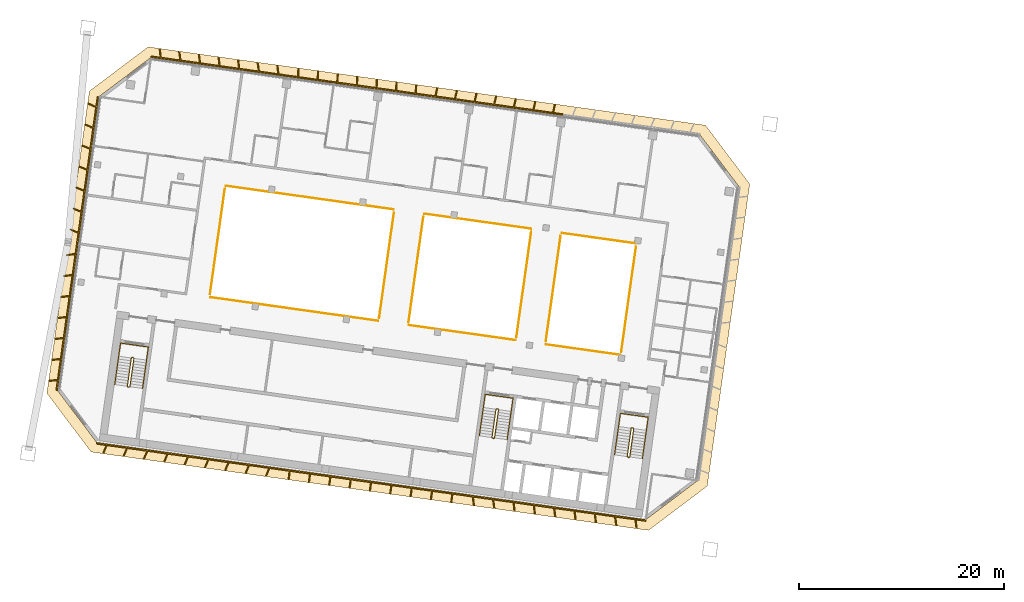
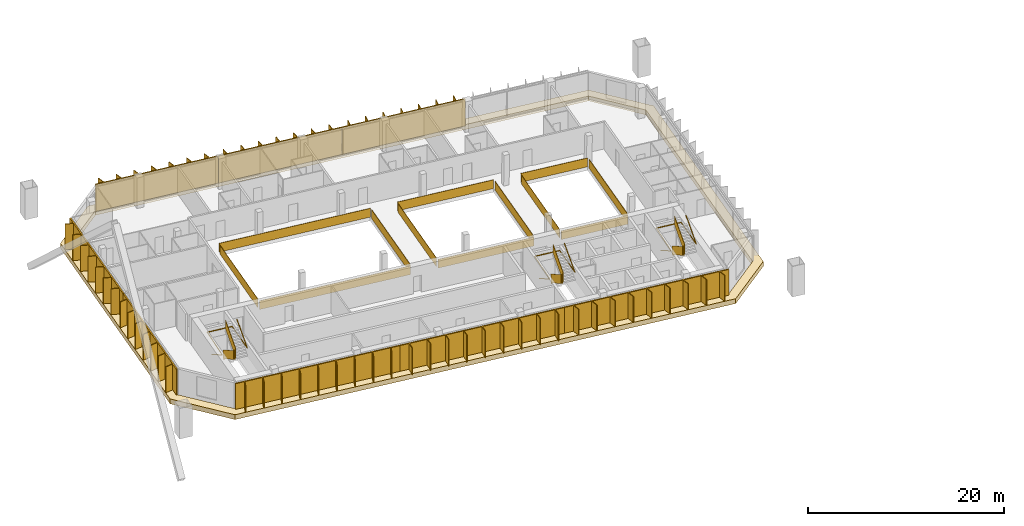
# One storey, part 26 of 28: 18 railings, 8 shading devices, 1 covering.
"""IFC4 building model written with IfcOpenShell, lengths in metres."""

from ifc_helpers import new_model, si_unit, direction, frame, origin, origin_2d, place, context, subcontext, project, spatial, polyline, rectangle, outline, extrude, material, layer, layer_set, type_object, element, save


model = new_model("IFC4")

# Units and contexts
model_context = context("Model", 3, precision=1e-05, world=origin(), true_north=direction((0.0, 1.0)))
body_context = subcontext(model_context, "Body", "Model", "MODEL_VIEW")
ifc_project = project(units=[si_unit("LENGTHUNIT", "METRE"), si_unit("AREAUNIT", "SQUARE_METRE"), si_unit("VOLUMEUNIT", "CUBIC_METRE"), si_unit("PLANEANGLEUNIT", "RADIAN"), si_unit("MASSUNIT", "GRAM", prefix="KILO")], contexts=[model_context])

# Site, building, storey
site_placement = place(None, origin())
site = spatial("IfcSite", under=ifc_project, at=site_placement, CompositionType="ELEMENT")
building_placement = place(site_placement, origin())
building = spatial("IfcBuilding", under=site, at=building_placement, Name="Mirante Cascada Hotel Towers", CompositionType="ELEMENT")
storey_placement = place(building_placement, frame((0.0, 0.0, 165.0)))
storey = spatial("IfcBuildingStorey", under=building, at=storey_placement, Name="L38", CompositionType="ELEMENT", Elevation=165.0)

# Railings
ifc_material_1 = material(Name="Toughened glass with stainless steel handrail", Category="steel")
railing_type_1 = type_object("IfcRailingType", Name="Atrium guard 1100 glass balustrade", PredefinedType="GUARDRAIL", material=ifc_material_1)
railing_1_placement = place(storey_placement, frame((-39.3856, -4.1144, 0.0)))
element("IfcRailing", 1, at=railing_1_placement, inside=storey, type_object=railing_type_1, Name="GUARD 1-L38-1", PredefinedType="GUARDRAIL", context=body_context, shape_type="SweptSolid", body=[
    extrude(rectangle(XDim=0.048, YDim=0.048, at=origin_2d()), frame((0.0, 0.0, 1.076), z_axis=(-0.9902668, 0.1391823, 0.0), x_axis=(-0.1391823, -0.9902668, 0.0)), (0.0, 0.0, 1.0), 7.3479),
    extrude(rectangle(XDim=0.02, YDim=1.052, at=origin_2d()), frame((0.0, 0.0, 0.526), z_axis=(-0.9902668, 0.1391823, 0.0), x_axis=(-0.1391823, -0.9902668, 0.0)), (0.0, 0.0, 1.0), 7.3479),
])
railing_2_placement = place(storey_placement, frame((-45.1311, 7.8012, 0.0)))
element("IfcRailing", 2, at=railing_2_placement, inside=storey, type_object=railing_type_1, Name="GUARD 1-L38-2", PredefinedType="GUARDRAIL", context=body_context, shape_type="SweptSolid", body=[
    extrude(rectangle(XDim=0.048, YDim=0.048, at=origin_2d()), frame((0.0, 0.0, 1.076), z_axis=(0.9902687, -0.1391689, 0.0), x_axis=(0.1391689, 0.9902687, 0.0)), (0.0, 0.0, 1.0), 7.3479),
    extrude(rectangle(XDim=0.02, YDim=1.052, at=origin_2d()), frame((0.0, 0.0, 0.526), z_axis=(0.9902687, -0.1391689, 0.0), x_axis=(0.1391689, 0.9902687, 0.0)), (0.0, 0.0, 1.0), 7.3479),
])
railing_3_placement = place(storey_placement, frame((-49.6328, -2.6742, 0.0)))
element("IfcRailing", 3, at=railing_3_placement, inside=storey, type_object=railing_type_1, Name="GUARD 1-L38-3", PredefinedType="GUARDRAIL", context=body_context, shape_type="SweptSolid", body=[
    extrude(rectangle(XDim=0.048, YDim=0.048, at=origin_2d()), frame((0.0, 0.0, 1.076), z_axis=(-0.9902677, 0.1391758, 0.0), x_axis=(-0.1391758, -0.9902677, 0.0)), (0.0, 0.0, 1.0), 10.5507),
    extrude(rectangle(XDim=0.02, YDim=1.052, at=origin_2d()), frame((0.0, 0.0, 0.526), z_axis=(-0.9902677, 0.1391758, 0.0), x_axis=(-0.1391758, -0.9902677, 0.0)), (0.0, 0.0, 1.0), 10.5507),
])
railing_4_placement = place(storey_placement, frame((-58.5499, 9.6871, 0.0)))
element("IfcRailing", 4, at=railing_4_placement, inside=storey, type_object=railing_type_1, Name="GUARD 1-L38-4", PredefinedType="GUARDRAIL", context=body_context, shape_type="SweptSolid", body=[
    extrude(rectangle(XDim=0.048, YDim=0.048, at=origin_2d()), frame((0.0, 0.0, 1.076), z_axis=(0.9902677, -0.1391758, 0.0), x_axis=(0.1391758, 0.9902677, 0.0)), (0.0, 0.0, 1.0), 10.5507),
    extrude(rectangle(XDim=0.02, YDim=1.052, at=origin_2d()), frame((0.0, 0.0, 0.526), z_axis=(0.9902677, -0.1391758, 0.0), x_axis=(0.1391758, 0.9902677, 0.0)), (0.0, 0.0, 1.0), 10.5507),
])
railing_5_placement = place(storey_placement, frame((-63.0516, -0.7883, 0.0)))
element("IfcRailing", 5, at=railing_5_placement, inside=storey, type_object=railing_type_1, Name="GUARD 1-L38-5", PredefinedType="GUARDRAIL", context=body_context, shape_type="SweptSolid", body=[
    extrude(rectangle(XDim=0.048, YDim=0.048, at=origin_2d()), frame((0.0, 0.0, 1.076), z_axis=(-0.9902679, 0.1391744, 0.0), x_axis=(-0.1391744, -0.9902679, 0.0)), (0.0, 0.0, 1.0), 16.6015),
    extrude(rectangle(XDim=0.02, YDim=1.052, at=origin_2d()), frame((0.0, 0.0, 0.526), z_axis=(-0.9902679, 0.1391744, 0.0), x_axis=(-0.1391744, -0.9902679, 0.0)), (0.0, 0.0, 1.0), 16.6015),
    extrude(rectangle(XDim=0.048, YDim=0.048, at=origin_2d()), frame((-16.4399, 2.3105, 1.076), z_axis=(0.9903011, -0.1389378, 0.0), x_axis=(0.1389378, 0.9903011, 0.0)), (0.0, 0.0, 1.0), 0.0338),
    extrude(rectangle(XDim=0.02, YDim=1.052, at=origin_2d()), frame((-16.4399, 2.3105, 0.526), z_axis=(0.9903011, -0.1389378, 0.0), x_axis=(0.1389378, 0.9903011, 0.0)), (0.0, 0.0, 1.0), 0.0338),
])
railing_6_placement = place(storey_placement, frame((-77.9271, 12.4104, 0.0)))
element("IfcRailing", 6, at=railing_6_placement, inside=storey, type_object=railing_type_1, Name="GUARD 1-L38-6", PredefinedType="GUARDRAIL", context=body_context, shape_type="SweptSolid", body=[
    extrude(rectangle(XDim=0.048, YDim=0.048, at=origin_2d()), frame((0.0, 0.0, 1.076), z_axis=(-0.9903011, 0.1389378, 0.0), x_axis=(-0.1389378, -0.9903011, 0.0)), (0.0, 0.0, 1.0), 0.0338),
    extrude(rectangle(XDim=0.02, YDim=1.052, at=origin_2d()), frame((0.0, 0.0, 0.526), z_axis=(-0.9903011, 0.1389378, 0.0), x_axis=(-0.1389378, -0.9903011, 0.0)), (0.0, 0.0, 1.0), 0.0338),
    extrude(rectangle(XDim=0.048, YDim=0.048, at=origin_2d()), frame((-0.0335, 0.0047, 1.076), z_axis=(0.9902679, -0.1391744, 0.0), x_axis=(0.1391744, 0.9902679, 0.0)), (0.0, 0.0, 1.0), 16.6015),
    extrude(rectangle(XDim=0.02, YDim=1.052, at=origin_2d()), frame((-0.0335, 0.0047, 0.526), z_axis=(0.9902679, -0.1391744, 0.0), x_axis=(0.1391744, 0.9902679, 0.0)), (0.0, 0.0, 1.0), 16.6015),
])
railing_7_placement = place(storey_placement, frame((-78.0512, 12.1295, 0.0)))
element("IfcRailing", 7, at=railing_7_placement, inside=storey, type_object=railing_type_1, Name="GUARD 1-L38-7", PredefinedType="GUARDRAIL", context=body_context, shape_type="SweptSolid", body=[
    extrude(rectangle(XDim=0.048, YDim=0.048, at=origin_2d()), frame((0.0, 0.0, 1.076), z_axis=(-0.1391762, -0.9902676, 0.0), x_axis=(0.9902676, -0.1391762, 0.0)), (0.0, 0.0, 1.0), 10.4091),
    extrude(rectangle(XDim=0.02, YDim=1.052, at=origin_2d()), frame((0.0, 0.0, 0.526), z_axis=(-0.1391762, -0.9902676, 0.0), x_axis=(0.9902676, -0.1391762, 0.0)), (0.0, 0.0, 1.0), 10.4091),
])
railing_8_placement = place(storey_placement, frame((-62.9619, -0.5024, 0.0)))
element("IfcRailing", 8, at=railing_8_placement, inside=storey, type_object=railing_type_1, Name="GUARD 1-L38-8", PredefinedType="GUARDRAIL", context=body_context, shape_type="SweptSolid", body=[
    extrude(rectangle(XDim=0.048, YDim=0.048, at=origin_2d()), frame((0.0, 0.0, 1.076), z_axis=(0.1391721, 0.9902682, 0.0), x_axis=(-0.9902682, 0.1391721, 0.0)), (0.0, 0.0, 1.0), 10.4087),
    extrude(rectangle(XDim=0.02, YDim=1.052, at=origin_2d()), frame((0.0, 0.0, 0.526), z_axis=(0.1391721, 0.9902682, 0.0), x_axis=(-0.9902682, 0.1391721, 0.0)), (0.0, 0.0, 1.0), 10.4087),
])
railing_9_placement = place(storey_placement, frame((-58.6396, 9.4012, 0.0)))
element("IfcRailing", 9, at=railing_9_placement, inside=storey, type_object=railing_type_1, Name="GUARD 1-L38-9", PredefinedType="GUARDRAIL", context=body_context, shape_type="SweptSolid", body=[
    extrude(rectangle(XDim=0.048, YDim=0.048, at=origin_2d()), frame((0.0, 0.0, 1.076), z_axis=(-0.1391721, -0.9902682, 0.0), x_axis=(0.9902682, -0.1391721, 0.0)), (0.0, 0.0, 1.0), 10.4087),
    extrude(rectangle(XDim=0.02, YDim=1.052, at=origin_2d()), frame((0.0, 0.0, 0.526), z_axis=(-0.1391721, -0.9902682, 0.0), x_axis=(0.9902682, -0.1391721, 0.0)), (0.0, 0.0, 1.0), 10.4087),
])
railing_10_placement = place(storey_placement, frame((-49.5431, -2.3882, 0.0)))
element("IfcRailing", 10, at=railing_10_placement, inside=storey, type_object=railing_type_1, Name="GUARD 1-L38-10", PredefinedType="GUARDRAIL", context=body_context, shape_type="SweptSolid", body=[
    extrude(rectangle(XDim=0.048, YDim=0.048, at=origin_2d()), frame((0.0, 0.0, 1.076), z_axis=(0.1391734, 0.990268, 0.0), x_axis=(-0.990268, 0.1391734, 0.0)), (0.0, 0.0, 1.0), 10.4086),
    extrude(rectangle(XDim=0.02, YDim=1.052, at=origin_2d()), frame((0.0, 0.0, 0.526), z_axis=(0.1391734, 0.990268, 0.0), x_axis=(-0.990268, 0.1391734, 0.0)), (0.0, 0.0, 1.0), 10.4086),
])
railing_11_placement = place(storey_placement, frame((-45.2208, 7.5153, 0.0)))
element("IfcRailing", 11, at=railing_11_placement, inside=storey, type_object=railing_type_1, Name="GUARD 1-L38-11", PredefinedType="GUARDRAIL", context=body_context, shape_type="SweptSolid", body=[
    extrude(rectangle(XDim=0.048, YDim=0.048, at=origin_2d()), frame((0.0, 0.0, 1.076), z_axis=(-0.1391721, -0.9902682, 0.0), x_axis=(0.9902682, -0.1391721, 0.0)), (0.0, 0.0, 1.0), 10.4087),
    extrude(rectangle(XDim=0.02, YDim=1.052, at=origin_2d()), frame((0.0, 0.0, 0.526), z_axis=(-0.1391721, -0.9902682, 0.0), x_axis=(0.9902682, -0.1391721, 0.0)), (0.0, 0.0, 1.0), 10.4087),
])
railing_12_placement = place(storey_placement, frame((-39.295, -3.8287, 0.0)))
element("IfcRailing", 12, at=railing_12_placement, inside=storey, type_object=railing_type_1, Name="GUARD 1-L38-12", PredefinedType="GUARDRAIL", context=body_context, shape_type="SweptSolid", body=[
    extrude(rectangle(XDim=0.048, YDim=0.048, at=origin_2d()), frame((0.0, 0.0, 1.076), z_axis=(0.1391776, 0.9902674, 0.0), x_axis=(-0.9902674, 0.1391776, 0.0)), (0.0, 0.0, 1.0), 10.409),
    extrude(rectangle(XDim=0.02, YDim=1.052, at=origin_2d()), frame((0.0, 0.0, 0.526), z_axis=(0.1391776, 0.9902674, 0.0), x_axis=(-0.9902674, 0.1391776, 0.0)), (0.0, 0.0, 1.0), 10.409),
])

# Covering
ifc_material_2 = material(Name="Precast concrete C40/50 white", Category="concrete")
ifc_layer = layer(ifc_material_2, 0.6)
ifc_layer_set = layer_set([ifc_layer], Name="Precast concrete SUNSHADE band 1000x600")
covering_type = type_object("IfcCoveringType", Name="Precast concrete SUNSHADE band 1000x600", PredefinedType="CLADDING", material=ifc_layer_set)
covering_placement = place(storey_placement, frame((0.0, 0.0, -0.45)))
element("IfcCovering", 13, at=covering_placement, inside=storey, type_object=covering_type, Name="Precast concrete SUNSHADE band T1 L38", PredefinedType="CLADDING", context=body_context, shape_type="SweptSolid", body=[
    extrude(outline(polyline([(-95.4528, -7.862), (-91.3015, 21.6761), (-85.5574, 26.0046), (-31.0617, 18.3458), (-26.7332, 12.6017), (-30.8845, -16.9365), (-36.6286, -21.265), (-91.1243, -13.6061), (-95.4528, -7.862)]), holes=[polyline([(-27.7811, 12.3307), (-31.6111, 17.4131), (-85.2864, 24.9567), (-90.3689, 21.1268), (-94.4049, -7.591), (-90.575, -12.6735), (-36.8996, -20.217), (-31.8171, -16.3871), (-27.7811, 12.3307)])]), origin(), (0.0, 0.0, 1.0), 0.6),
])

# Railings
ifc_material_3 = material(Name="Painted steel", Category="steel")
railing_type_2 = type_object("IfcRailingType", Name="Stair guard 1100 steel balustrade", PredefinedType="GUARDRAIL", material=ifc_material_3)
railing_13_placement = place(storey_placement, frame((-38.1178, -11.2603, 0.0)))
element("IfcRailing", 14, at=railing_13_placement, inside=storey, type_object=railing_type_2, Name="L38 ST1-A stair guard 1", PredefinedType="GUARDRAIL", context=body_context, shape_type="SweptSolid", body=[
    extrude(rectangle(XDim=0.048, YDim=0.048, at=origin_2d()), frame((0.0, 0.0, 1.076), z_axis=(-0.9903326, 0.1387133, 0.0), x_axis=(-0.1387133, -0.9903326, 0.0)), (0.0, 0.0, 1.0), 0.1499),
    extrude(rectangle(XDim=0.02, YDim=1.052, at=origin_2d()), frame((0.0, 0.0, 0.526), z_axis=(-0.9903326, 0.1387133, 0.0), x_axis=(-0.1387133, -0.9903326, 0.0)), (0.0, 0.0, 1.0), 0.1499),
    extrude(rectangle(XDim=0.048, YDim=0.048, at=origin_2d()), frame((-0.1485, 0.0208, 1.076), z_axis=(-0.7991505, -0.6011309, 0.0), x_axis=(0.6011309, -0.7991505, 0.0)), (0.0, 0.9254529, 0.3788627), 0.1866),
    extrude(rectangle(XDim=0.02, YDim=1.052, at=origin_2d()), frame((-0.1485, 0.0208, 0.526), z_axis=(-0.7991505, -0.6011309, 0.0), x_axis=(0.6011309, -0.7991505, 0.0)), (0.0, 0.9254529, 0.3788627), 0.1866),
    extrude(rectangle(XDim=0.048, YDim=0.048, at=origin_2d()), frame((-0.205, -0.0217, 1.2487), z_axis=(-0.139176, -0.9902677, 0.0), x_axis=(0.9902677, -0.139176, 0.0)), (0.0, 0.5250212, 0.8510891), 3.29),
    extrude(rectangle(XDim=0.02, YDim=1.052, at=origin_2d()), frame((-0.205, -0.0217, 0.6987), z_axis=(-0.139176, -0.9902677, 0.0), x_axis=(0.9902677, -0.139176, 0.0)), (0.0, 0.5250212, 0.8510891), 3.29),
    extrude(rectangle(XDim=0.048, YDim=0.048, at=origin_2d()), frame((-0.5947, -2.7945, 2.976), z_axis=(0.9270311, -0.3749843, 0.0), x_axis=(0.3749843, 0.9270311, 0.0)), (0.0, 0.0, 1.0), 0.2061),
    extrude(rectangle(XDim=0.02, YDim=1.052, at=origin_2d()), frame((-0.5947, -2.7945, 2.426), z_axis=(0.9270311, -0.3749843, 0.0), x_axis=(0.3749843, 0.9270311, 0.0)), (0.0, 0.0, 1.0), 0.2061),
    extrude(rectangle(XDim=0.048, YDim=0.048, at=origin_2d()), frame((-0.4036, -2.8718, 2.976), z_axis=(-0.9902408, 0.1393672, 0.0), x_axis=(-0.1393672, -0.9902408, 0.0)), (0.0, 0.0, 1.0), 0.15),
    extrude(rectangle(XDim=0.02, YDim=1.052, at=origin_2d()), frame((-0.4036, -2.8718, 2.426), z_axis=(-0.9902408, 0.1393672, 0.0), x_axis=(-0.1393672, -0.9902408, 0.0)), (0.0, 0.0, 1.0), 0.15),
    extrude(rectangle(XDim=0.048, YDim=0.048, at=origin_2d()), frame((-0.5521, -2.8509, 2.976), z_axis=(0.9944948, 0.1047858, 0.0), x_axis=(-0.1047858, 0.9944948, 0.0)), (0.0, 0.6422034, 0.7665343), 0.2689),
    extrude(rectangle(XDim=0.02, YDim=1.052, at=origin_2d()), frame((-0.5521, -2.8509, 2.426), z_axis=(0.9944948, 0.1047858, 0.0), x_axis=(-0.1047858, 0.9944948, 0.0)), (0.0, 0.6422034, 0.7665343), 0.2689),
    extrude(rectangle(XDim=0.048, YDim=0.048, at=origin_2d()), frame((-0.3471, -2.8293, 3.1487), z_axis=(0.139176, 0.9902677, 0.0), x_axis=(-0.9902677, 0.139176, 0.0)), (0.0, 0.5250212, 0.8510891), 3.29),
    extrude(rectangle(XDim=0.02, YDim=1.052, at=origin_2d()), frame((-0.3471, -2.8293, 2.5987), z_axis=(0.139176, 0.9902677, 0.0), x_axis=(-0.9902677, 0.139176, 0.0)), (0.0, 0.5250212, 0.8510891), 3.29),
])
railing_14_placement = place(storey_placement, frame((-51.3379, -9.4024, 0.0)))
element("IfcRailing", 15, at=railing_14_placement, inside=storey, type_object=railing_type_2, Name="L38 ST1-B stair guard 1", PredefinedType="GUARDRAIL", context=body_context, shape_type="SweptSolid", body=[
    extrude(rectangle(XDim=0.048, YDim=0.048, at=origin_2d()), frame((0.0, 0.0, 1.076), z_axis=(-0.9902408, 0.1393672, 0.0), x_axis=(-0.1393672, -0.9902408, 0.0)), (0.0, 0.0, 1.0), 0.15),
    extrude(rectangle(XDim=0.02, YDim=1.052, at=origin_2d()), frame((0.0, 0.0, 0.526), z_axis=(-0.9902408, 0.1393672, 0.0), x_axis=(-0.1393672, -0.9902408, 0.0)), (0.0, 0.0, 1.0), 0.15),
    extrude(rectangle(XDim=0.048, YDim=0.048, at=origin_2d()), frame((-0.1485, 0.0209, 1.076), z_axis=(-0.7984711, -0.6020331, 0.0), x_axis=(0.6020331, -0.7984711, 0.0)), (0.0, 0.9253398, 0.3791387), 0.1866),
    extrude(rectangle(XDim=0.02, YDim=1.052, at=origin_2d()), frame((-0.1485, 0.0209, 0.526), z_axis=(-0.7984711, -0.6020331, 0.0), x_axis=(0.6020331, -0.7984711, 0.0)), (0.0, 0.9253398, 0.3791387), 0.1866),
    extrude(rectangle(XDim=0.048, YDim=0.048, at=origin_2d()), frame((-0.205, -0.0217, 1.2487), z_axis=(-0.139181, -0.990267, 0.0), x_axis=(0.990267, -0.139181, 0.0)), (0.0, 0.5250347, 0.8510808), 3.2899),
    extrude(rectangle(XDim=0.02, YDim=1.052, at=origin_2d()), frame((-0.205, -0.0217, 0.6987), z_axis=(-0.139181, -0.990267, 0.0), x_axis=(0.990267, -0.139181, 0.0)), (0.0, 0.5250347, 0.8510808), 3.2899),
    extrude(rectangle(XDim=0.048, YDim=0.048, at=origin_2d()), frame((-0.5947, -2.7944, 2.976), z_axis=(0.9268624, -0.3754011, 0.0), x_axis=(0.3754011, 0.9268624, 0.0)), (0.0, 0.0, 1.0), 0.2062),
    extrude(rectangle(XDim=0.02, YDim=1.052, at=origin_2d()), frame((-0.5947, -2.7944, 2.426), z_axis=(0.9268624, -0.3754011, 0.0), x_axis=(0.3754011, 0.9268624, 0.0)), (0.0, 0.0, 1.0), 0.2062),
    extrude(rectangle(XDim=0.048, YDim=0.048, at=origin_2d()), frame((-0.4036, -2.8718, 2.976), z_axis=(-0.9902408, 0.1393672, 0.0), x_axis=(-0.1393672, -0.9902408, 0.0)), (0.0, 0.0, 1.0), 0.15),
    extrude(rectangle(XDim=0.02, YDim=1.052, at=origin_2d()), frame((-0.4036, -2.8718, 2.426), z_axis=(-0.9902408, 0.1393672, 0.0), x_axis=(-0.1393672, -0.9902408, 0.0)), (0.0, 0.0, 1.0), 0.15),
    extrude(rectangle(XDim=0.048, YDim=0.048, at=origin_2d()), frame((-0.5521, -2.8509, 2.976), z_axis=(0.9944441, 0.1052656, 0.0), x_axis=(-0.1052656, 0.9944441, 0.0)), (0.0, 0.6421842, 0.7665504), 0.2689),
    extrude(rectangle(XDim=0.02, YDim=1.052, at=origin_2d()), frame((-0.5521, -2.8509, 2.426), z_axis=(0.9944441, 0.1052656, 0.0), x_axis=(-0.1052656, 0.9944441, 0.0)), (0.0, 0.6421842, 0.7665504), 0.2689),
    extrude(rectangle(XDim=0.048, YDim=0.048, at=origin_2d()), frame((-0.3471, -2.8292, 3.1487), z_axis=(0.139181, 0.990267, 0.0), x_axis=(-0.990267, 0.139181, 0.0)), (0.0, 0.5250347, 0.8510808), 3.2899),
    extrude(rectangle(XDim=0.02, YDim=1.052, at=origin_2d()), frame((-0.3471, -2.8292, 2.5987), z_axis=(0.139181, 0.990267, 0.0), x_axis=(-0.990267, 0.139181, 0.0)), (0.0, 0.5250347, 0.8510808), 3.2899),
])
railing_15_placement = place(storey_placement, frame((-86.9875, -4.3922, 0.0)))
element("IfcRailing", 16, at=railing_15_placement, inside=storey, type_object=railing_type_2, Name="L38 ST1-C stair guard 1", PredefinedType="GUARDRAIL", context=body_context, shape_type="SweptSolid", body=[
    extrude(rectangle(XDim=0.048, YDim=0.048, at=origin_2d()), frame((0.0, 0.0, 1.076), z_axis=(-0.9902537, 0.1392753, 0.0), x_axis=(-0.1392753, -0.9902537, 0.0)), (0.0, 0.0, 1.0), 0.1501),
    extrude(rectangle(XDim=0.02, YDim=1.052, at=origin_2d()), frame((0.0, 0.0, 0.526), z_axis=(-0.9902537, 0.1392753, 0.0), x_axis=(-0.1392753, -0.9902537, 0.0)), (0.0, 0.0, 1.0), 0.1501),
    extrude(rectangle(XDim=0.048, YDim=0.048, at=origin_2d()), frame((-0.1486, 0.0209, 1.076), z_axis=(-0.7986386, -0.601811, 0.0), x_axis=(0.601811, -0.7986386, 0.0)), (0.0, 0.925603, 0.3784959), 0.1866),
    extrude(rectangle(XDim=0.02, YDim=1.052, at=origin_2d()), frame((-0.1486, 0.0209, 0.526), z_axis=(-0.7986386, -0.601811, 0.0), x_axis=(0.601811, -0.7986386, 0.0)), (0.0, 0.925603, 0.3784959), 0.1866),
    extrude(rectangle(XDim=0.048, YDim=0.048, at=origin_2d()), frame((-0.205, -0.0216, 1.2487), z_axis=(-0.139176, -0.9902677, 0.0), x_axis=(0.9902677, -0.139176, 0.0)), (0.0, 0.5250212, 0.8510891), 3.29),
    extrude(rectangle(XDim=0.02, YDim=1.052, at=origin_2d()), frame((-0.205, -0.0216, 0.6987), z_axis=(-0.139176, -0.9902677, 0.0), x_axis=(0.9902677, -0.139176, 0.0)), (0.0, 0.5250212, 0.8510891), 3.29),
    extrude(rectangle(XDim=0.048, YDim=0.048, at=origin_2d()), frame((-0.5947, -2.7944, 2.976), z_axis=(0.9270311, -0.3749843, 0.0), x_axis=(0.3749843, 0.9270311, 0.0)), (0.0, 0.0, 1.0), 0.2061),
    extrude(rectangle(XDim=0.02, YDim=1.052, at=origin_2d()), frame((-0.5947, -2.7944, 2.426), z_axis=(0.9270311, -0.3749843, 0.0), x_axis=(0.3749843, 0.9270311, 0.0)), (0.0, 0.0, 1.0), 0.2061),
    extrude(rectangle(XDim=0.048, YDim=0.048, at=origin_2d()), frame((-0.4036, -2.8717, 2.976), z_axis=(-0.9903454, 0.1386217, 0.0), x_axis=(-0.1386217, -0.9903454, 0.0)), (0.0, 0.0, 1.0), 0.15),
    extrude(rectangle(XDim=0.02, YDim=1.052, at=origin_2d()), frame((-0.4036, -2.8717, 2.426), z_axis=(-0.9903454, 0.1386217, 0.0), x_axis=(-0.1386217, -0.9903454, 0.0)), (0.0, 0.0, 1.0), 0.15),
    extrude(rectangle(XDim=0.048, YDim=0.048, at=origin_2d()), frame((-0.5522, -2.8509, 2.976), z_axis=(0.9944441, 0.1052656, 0.0), x_axis=(-0.1052656, 0.9944441, 0.0)), (0.0, 0.6421842, 0.7665504), 0.2689),
    extrude(rectangle(XDim=0.02, YDim=1.052, at=origin_2d()), frame((-0.5522, -2.8509, 2.426), z_axis=(0.9944441, 0.1052656, 0.0), x_axis=(-0.1052656, 0.9944441, 0.0)), (0.0, 0.6421842, 0.7665504), 0.2689),
    extrude(rectangle(XDim=0.048, YDim=0.048, at=origin_2d()), frame((-0.3472, -2.8292, 3.1487), z_axis=(0.139176, 0.9902677, 0.0), x_axis=(-0.9902677, 0.139176, 0.0)), (0.0, 0.5250212, 0.8510891), 3.29),
    extrude(rectangle(XDim=0.02, YDim=1.052, at=origin_2d()), frame((-0.3472, -2.8292, 2.5987), z_axis=(0.139176, 0.9902677, 0.0), x_axis=(-0.9902677, 0.139176, 0.0)), (0.0, 0.5250212, 0.8510891), 3.29),
])
ifc_material_4 = material(Name="Painted steel", Category="steel")
railing_type_3 = type_object("IfcRailingType", Name="Stair handrail 900 steel tube", PredefinedType="HANDRAIL", material=ifc_material_4)
railing_16_placement = place(storey_placement, frame((-39.5606, -11.1081, 0.1727)))
element("IfcRailing", 17, at=railing_16_placement, inside=storey, type_object=railing_type_3, Name="L38 ST1-A stair handrail 1", PredefinedType="HANDRAIL", context=body_context, shape_type="SweptSolid", body=[
    extrude(rectangle(XDim=0.048, YDim=0.048, at=origin_2d()), frame((0.0, 0.0, 0.876), z_axis=(-0.139181, -0.990267, 0.0), x_axis=(0.990267, -0.139181, 0.0)), (0.0, 0.5250347, 0.8510808), 3.2899),
    extrude(rectangle(XDim=0.048, YDim=0.048, at=origin_2d()), frame((-0.3897, -2.7727, 2.6033), z_axis=(0.1391707, 0.9902684, 0.0), x_axis=(-0.9902684, 0.1391707, 0.0)), (0.0, 0.0420846, 0.999114), 4.1036),
    extrude(rectangle(XDim=0.048, YDim=0.048, at=origin_2d()), frame((0.1809, 1.2874, 2.776), z_axis=(0.9902691, -0.1391657, 0.0), x_axis=(0.1391657, 0.9902691, 0.0)), (0.0, 0.0, 1.0), 2.75),
    extrude(rectangle(XDim=0.048, YDim=0.048, at=origin_2d()), frame((2.9041, 0.9047, 2.776), z_axis=(-0.1391707, -0.9902684, 0.0), x_axis=(0.9902684, -0.1391707, 0.0)), (0.0, 0.0, 1.0), 4.1),
    extrude(rectangle(XDim=0.048, YDim=0.048, at=origin_2d()), frame((2.3335, -3.1554, 2.776), z_axis=(0.139181, 0.990267, 0.0), x_axis=(-0.990267, 0.139181, 0.0)), (0.0, 0.5250347, 0.8510808), 3.2899),
])
railing_17_placement = place(storey_placement, frame((-52.7807, -9.2501, 0.1727)))
element("IfcRailing", 18, at=railing_17_placement, inside=storey, type_object=railing_type_3, Name="L38 ST1-B stair handrail 1", PredefinedType="HANDRAIL", context=body_context, shape_type="SweptSolid", body=[
    extrude(rectangle(XDim=0.048, YDim=0.048, at=origin_2d()), frame((0.0, 0.0, 0.876), z_axis=(-0.139181, -0.990267, 0.0), x_axis=(0.990267, -0.139181, 0.0)), (0.0, 0.5250347, 0.8510808), 3.2899),
    extrude(rectangle(XDim=0.048, YDim=0.048, at=origin_2d()), frame((-0.3897, -2.7727, 2.6033), z_axis=(0.1391707, 0.9902684, 0.0), x_axis=(-0.9902684, 0.1391707, 0.0)), (0.0, 0.0420846, 0.999114), 4.1036),
    extrude(rectangle(XDim=0.048, YDim=0.048, at=origin_2d()), frame((0.1809, 1.2874, 2.776), z_axis=(0.9902641, -0.1392013, 0.0), x_axis=(0.1392013, 0.9902641, 0.0)), (0.0, 0.0, 1.0), 2.75),
    extrude(rectangle(XDim=0.048, YDim=0.048, at=origin_2d()), frame((2.9041, 0.9046, 2.776), z_axis=(-0.1391707, -0.9902684, 0.0), x_axis=(0.9902684, -0.1391707, 0.0)), (0.0, 0.0, 1.0), 4.1),
    extrude(rectangle(XDim=0.048, YDim=0.048, at=origin_2d()), frame((2.3335, -3.1555, 2.776), z_axis=(0.139176, 0.9902677, 0.0), x_axis=(-0.9902677, 0.139176, 0.0)), (0.0, 0.5250212, 0.8510891), 3.29),
])
railing_18_placement = place(storey_placement, frame((-88.4304, -4.2399, 0.1727)))
element("IfcRailing", 19, at=railing_18_placement, inside=storey, type_object=railing_type_3, Name="L38 ST1-C stair handrail 1", PredefinedType="HANDRAIL", context=body_context, shape_type="SweptSolid", body=[
    extrude(rectangle(XDim=0.048, YDim=0.048, at=origin_2d()), frame((0.0, 0.0, 0.876), z_axis=(-0.139181, -0.990267, 0.0), x_axis=(0.990267, -0.139181, 0.0)), (0.0, 0.5250347, 0.8510808), 3.2899),
    extrude(rectangle(XDim=0.048, YDim=0.048, at=origin_2d()), frame((-0.3897, -2.7727, 2.6033), z_axis=(0.1391947, 0.990265, 0.0), x_axis=(-0.990265, 0.1391947, 0.0)), (0.0, 0.0420845, 0.9991141), 4.1036),
    extrude(rectangle(XDim=0.048, YDim=0.048, at=origin_2d()), frame((0.181, 1.2874, 2.776), z_axis=(0.9902691, -0.1391657, 0.0), x_axis=(0.1391657, 0.9902691, 0.0)), (0.0, 0.0, 1.0), 2.75),
    extrude(rectangle(XDim=0.048, YDim=0.048, at=origin_2d()), frame((2.9042, 0.9047, 2.776), z_axis=(-0.1391707, -0.9902684, 0.0), x_axis=(0.9902684, -0.1391707, 0.0)), (0.0, 0.0, 1.0), 4.1),
    extrude(rectangle(XDim=0.048, YDim=0.048, at=origin_2d()), frame((2.3336, -3.1554, 2.776), z_axis=(0.139181, 0.990267, 0.0), x_axis=(-0.990267, 0.139181, 0.0)), (0.0, 0.5250347, 0.8510808), 3.2899),
])

# Shading devices
ifc_material_5 = material(Name="White precast concrete C50/60 fin", Category="concrete")
shading_device_type = type_object("IfcShadingDeviceType", Name="Vertical fin set 4500x900", PredefinedType="USERDEFINED", material=ifc_material_5)
shading_device_1_placement = place(storey_placement, origin())
element("IfcShadingDevice", 20, at=shading_device_1_placement, inside=storey, type_object=shading_device_type, Name="FIN T1 L38 front 1", ObjectType="FIN", PredefinedType="USERDEFINED", context=body_context, shape_type="SweptSolid", body=[
    extrude(outline(polyline([(-72.7774, 23.3502), (-71.8467, 23.2194), (-71.8676, 23.0708), (-85.2864, 24.9567), (-85.2655, 25.1053), (-84.3613, 24.9782), (-84.4634, 25.8095), (-84.384, 25.8192), (-84.2793, 24.9667), (-82.4443, 24.7088), (-82.5464, 25.54), (-82.467, 25.5498), (-82.3623, 24.6972), (-80.5274, 24.4394), (-80.6294, 25.2706), (-80.55, 25.2804), (-80.4453, 24.4278), (-78.6104, 24.1699), (-78.7124, 25.0012), (-78.633, 25.011), (-78.5284, 24.1584), (-76.6934, 23.9005), (-76.7955, 24.7318), (-76.7161, 24.7416), (-76.6114, 23.889), (-74.7764, 23.6311), (-74.8785, 24.4624), (-74.7991, 24.4721), (-74.6944, 23.6196), (-72.8594, 23.3617), (-72.9615, 24.193), (-72.8821, 24.2027), (-72.7774, 23.3502)])), origin(), (0.0, 0.0, 1.0), 3.35),
])
shading_device_2_placement = place(storey_placement, origin())
element("IfcShadingDevice", 21, at=shading_device_2_placement, inside=storey, type_object=shading_device_type, Name="FIN T1 L38 front 2", ObjectType="FIN", PredefinedType="USERDEFINED", context=body_context, shape_type="SweptSolid", body=[
    extrude(outline(polyline([(-59.3509, 21.4632), (-58.4278, 21.3335), (-58.4487, 21.1849), (-71.8676, 23.0708), (-71.8467, 23.2194), (-70.9323, 23.0909), (-70.888, 23.936), (-70.8081, 23.9318), (-70.8528, 23.0797), (-69.0153, 22.8214), (-68.971, 23.6666), (-68.8911, 23.6624), (-68.9358, 22.8103), (-67.0983, 22.552), (-67.054, 23.3972), (-66.9742, 23.393), (-67.0188, 22.5409), (-65.1814, 22.2826), (-65.1371, 23.1278), (-65.0572, 23.1236), (-65.1018, 22.2714), (-63.2644, 22.0132), (-63.2201, 22.8584), (-63.1402, 22.8542), (-63.1849, 22.002), (-61.3474, 21.7438), (-61.3031, 22.5889), (-61.2232, 22.5848), (-61.2679, 21.7326), (-59.4304, 21.4744), (-59.3861, 22.3195), (-59.3062, 22.3153), (-59.3509, 21.4632)])), origin(), (0.0, 0.0, 1.0), 3.35),
])
shading_device_3_placement = place(storey_placement, origin())
element("IfcShadingDevice", 22, at=shading_device_3_placement, inside=storey, type_object=shading_device_type, Name="FIN T1 L38 front 3", ObjectType="FIN", PredefinedType="USERDEFINED", context=body_context, shape_type="SweptSolid", body=[
    extrude(outline(polyline([(-45.9234, 19.5761), (-45.009, 19.4476), (-45.0299, 19.299), (-58.4487, 21.1849), (-58.4278, 21.3335), (-57.5048, 21.2037), (-57.3128, 22.0352), (-57.2349, 22.0172), (-57.4253, 21.1926), (-55.5878, 20.9343), (-55.3959, 21.7658), (-55.3179, 21.7478), (-55.5083, 20.9232), (-53.6708, 20.6649), (-53.4789, 21.4964), (-53.4009, 21.4784), (-53.5913, 20.6537), (-51.7539, 20.3955), (-51.5619, 21.2269), (-51.484, 21.2089), (-51.6743, 20.3843), (-49.8369, 20.1261), (-49.6449, 20.9575), (-49.567, 20.9395), (-49.7574, 20.1149), (-47.9199, 19.8567), (-47.728, 20.6881), (-47.65, 20.6701), (-47.8404, 19.8455), (-46.0029, 19.5873), (-45.811, 20.4187), (-45.733, 20.4007), (-45.9234, 19.5761)])), origin(), (0.0, 0.0, 1.0), 3.35),
])
shading_device_4_placement = place(storey_placement, origin())
element("IfcShadingDevice", 23, at=shading_device_4_placement, inside=storey, type_object=shading_device_type, Name="FIN T1 L38 outer 1", ObjectType="FIN", PredefinedType="USERDEFINED", context=body_context, shape_type="SweptSolid", body=[
    extrude(outline(polyline([(-94.4054, -6.5167), (-94.1286, -4.5475), (-94.9599, -4.6495), (-94.9697, -4.5701), (-94.1171, -4.4655), (-93.8403, -2.4962), (-94.6716, -2.5983), (-94.6814, -2.5189), (-93.8288, -2.4142), (-93.5521, -0.4449), (-94.3833, -0.547), (-94.3931, -0.4676), (-93.5405, -0.3629), (-93.2638, 1.6063), (-94.095, 1.5043), (-94.1048, 1.5837), (-93.2522, 1.6883), (-92.9755, 3.6576), (-93.8068, 3.5555), (-93.8165, 3.6349), (-92.964, 3.7396), (-92.6872, 5.7089), (-93.5185, 5.6068), (-93.5282, 5.6862), (-92.6757, 5.7909), (-92.5354, 6.7888), (-92.3869, 6.7679), (-94.4049, -7.591), (-94.5534, -7.5701), (-94.4169, -6.5987), (-95.2482, -6.7008), (-95.2579, -6.6214), (-94.4054, -6.5167)])), origin(), (0.0, 0.0, 1.0), 3.35),
])
shading_device_5_placement = place(storey_placement, origin())
element("IfcShadingDevice", 24, at=shading_device_5_placement, inside=storey, type_object=shading_device_type, Name="FIN T1 L38 outer 2", ObjectType="FIN", PredefinedType="USERDEFINED", context=body_context, shape_type="SweptSolid", body=[
    extrude(outline(polyline([(-92.3837, 7.8687), (-92.1069, 9.8379), (-92.8976, 10.1736), (-92.8663, 10.2472), (-92.0954, 9.92), (-91.8186, 11.8892), (-92.6093, 12.2248), (-92.578, 12.2985), (-91.8071, 11.9712), (-91.5303, 13.9405), (-92.321, 14.2761), (-92.2897, 14.3497), (-91.5188, 14.0225), (-91.242, 15.9918), (-92.0327, 16.3274), (-92.0014, 16.401), (-91.2305, 16.0738), (-90.9537, 18.043), (-91.7444, 18.3786), (-91.7132, 18.4523), (-90.9422, 18.125), (-90.6655, 20.0943), (-91.4561, 20.4299), (-91.4249, 20.5036), (-90.6539, 20.1763), (-90.5174, 21.1477), (-90.3689, 21.1268), (-92.3869, 6.7679), (-92.5354, 6.7888), (-92.3952, 7.7867), (-93.1859, 8.1223), (-93.1546, 8.1959), (-92.3837, 7.8687)])), origin(), (0.0, 0.0, 1.0), 3.35),
])
shading_device_6_placement = place(storey_placement, origin())
element("IfcShadingDevice", 25, at=shading_device_6_placement, inside=storey, type_object=shading_device_type, Name="FIN T1 L38 rear 1", ObjectType="FIN", PredefinedType="USERDEFINED", context=body_context, shape_type="SweptSolid", body=[
    extrude(outline(polyline([(-37.9422, -20.222), (-39.8482, -19.9541), (-39.7461, -20.7854), (-39.8255, -20.7951), (-39.9302, -19.9426), (-41.8362, -19.6747), (-41.7341, -20.506), (-41.8135, -20.5158), (-41.9182, -19.6632), (-43.8241, -19.3953), (-43.7221, -20.2266), (-43.8015, -20.2364), (-43.9062, -19.3838), (-45.8121, -19.1159), (-45.7101, -19.9472), (-45.7895, -19.957), (-45.8941, -19.1044), (-47.8001, -18.8366), (-47.698, -19.6678), (-47.7774, -19.6776), (-47.8821, -18.825), (-49.7881, -18.5572), (-49.686, -19.3884), (-49.7654, -19.3982), (-49.8701, -18.5456), (-51.7761, -18.2778), (-51.674, -19.109), (-51.7534, -19.1188), (-51.8581, -18.2662), (-53.764, -17.9984), (-53.662, -18.8297), (-53.7414, -18.8394), (-53.846, -17.9869), (-54.8123, -17.8511), (-54.7914, -17.7025), (-36.8996, -20.217), (-36.9205, -20.3656), (-37.8602, -20.2335), (-37.7582, -21.0648), (-37.8376, -21.0745), (-37.9422, -20.222)])), origin(), (0.0, 0.0, 1.0), 3.35),
])
shading_device_7_placement = place(storey_placement, origin())
element("IfcShadingDevice", 26, at=shading_device_7_placement, inside=storey, type_object=shading_device_type, Name="FIN T1 L38 rear 2", ObjectType="FIN", PredefinedType="USERDEFINED", context=body_context, shape_type="SweptSolid", body=[
    extrude(outline(polyline([(-55.8459, -17.7058), (-57.7546, -17.4375), (-57.8729, -18.2793), (-57.9522, -18.2681), (-57.8339, -17.4264), (-59.7426, -17.1581), (-59.8609, -17.9999), (-59.9401, -17.9887), (-59.8218, -17.147), (-61.7306, -16.8788), (-61.8489, -17.7205), (-61.9281, -17.7093), (-61.8098, -16.8676), (-63.7186, -16.5994), (-63.8369, -17.4411), (-63.9161, -17.43), (-63.7978, -16.5882), (-65.7065, -16.32), (-65.8248, -17.1617), (-65.9041, -17.1506), (-65.7858, -16.3088), (-67.6945, -16.0406), (-67.8128, -16.8823), (-67.892, -16.8712), (-67.7737, -16.0294), (-69.6825, -15.7612), (-69.8008, -16.6029), (-69.88, -16.5918), (-69.7617, -15.7501), (-71.6705, -15.4818), (-71.7888, -16.3235), (-71.868, -16.3124), (-71.7497, -15.4707), (-72.7041, -15.3365), (-72.6832, -15.188), (-54.7914, -17.7025), (-54.8123, -17.8511), (-55.7667, -17.7169), (-55.885, -18.5587), (-55.9642, -18.5475), (-55.8459, -17.7058)])), origin(), (0.0, 0.0, 1.0), 3.35),
])
shading_device_8_placement = place(storey_placement, origin())
element("IfcShadingDevice", 27, at=shading_device_8_placement, inside=storey, type_object=shading_device_type, Name="FIN T1 L38 rear 3", ObjectType="FIN", PredefinedType="USERDEFINED", context=body_context, shape_type="SweptSolid", body=[
    extrude(outline(polyline([(-73.7523, -15.1892), (-75.6583, -14.9213), (-75.9939, -15.712), (-76.0676, -15.6808), (-75.7403, -14.9098), (-77.6463, -14.642), (-77.9819, -15.4326), (-78.0555, -15.4014), (-77.7283, -14.6304), (-79.6342, -14.3626), (-79.9699, -15.1532), (-80.0435, -15.122), (-79.7163, -14.351), (-81.6222, -14.0832), (-81.9578, -14.8738), (-82.0315, -14.8426), (-81.7042, -14.0716), (-83.6102, -13.8038), (-83.9458, -14.5944), (-84.0195, -14.5632), (-83.6922, -13.7923), (-85.5982, -13.5244), (-85.9338, -14.3151), (-86.0074, -14.2838), (-85.6802, -13.5129), (-87.5861, -13.245), (-87.9218, -14.0357), (-87.9954, -14.0044), (-87.6682, -13.2335), (-89.5741, -12.9656), (-89.9097, -13.7563), (-89.9834, -13.725), (-89.6561, -12.9541), (-90.5958, -12.822), (-90.575, -12.6735), (-72.6832, -15.188), (-72.7041, -15.3365), (-73.6703, -15.2007), (-74.0059, -15.9914), (-74.0796, -15.9601), (-73.7523, -15.1892)])), origin(), (0.0, 0.0, 1.0), 3.35),
])

save(model, "model.ifc")
